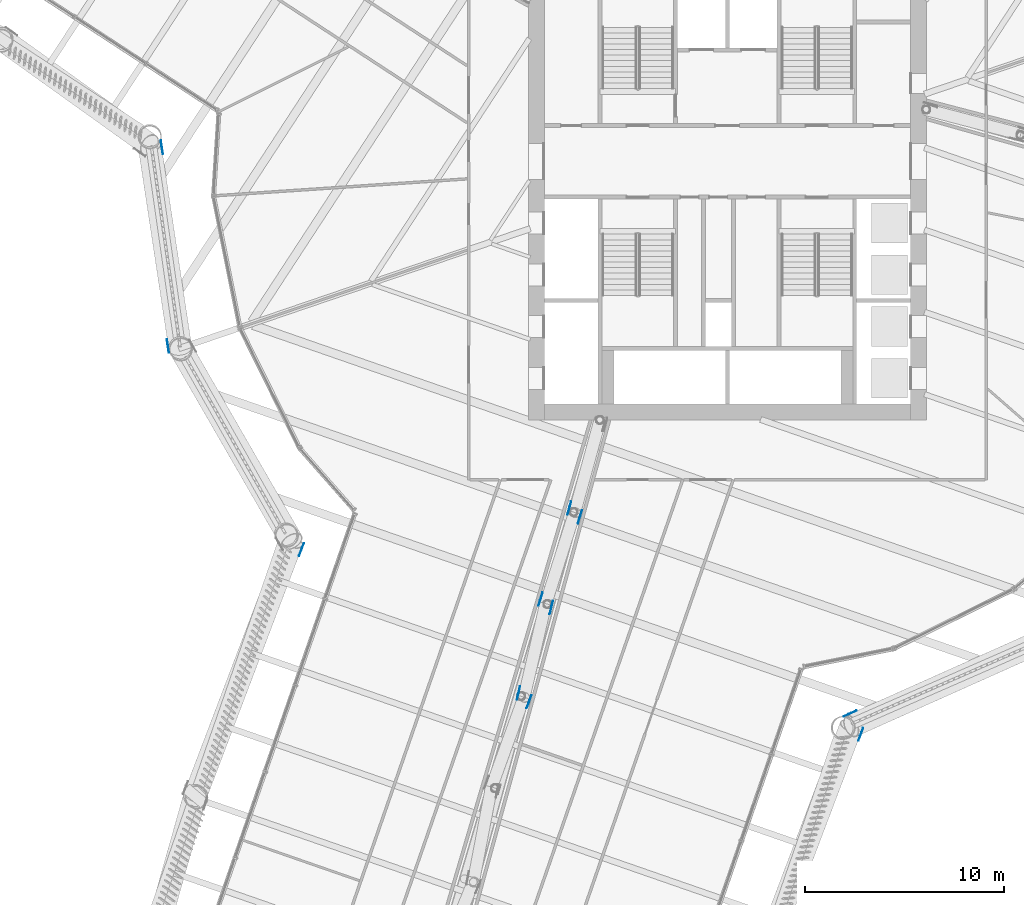
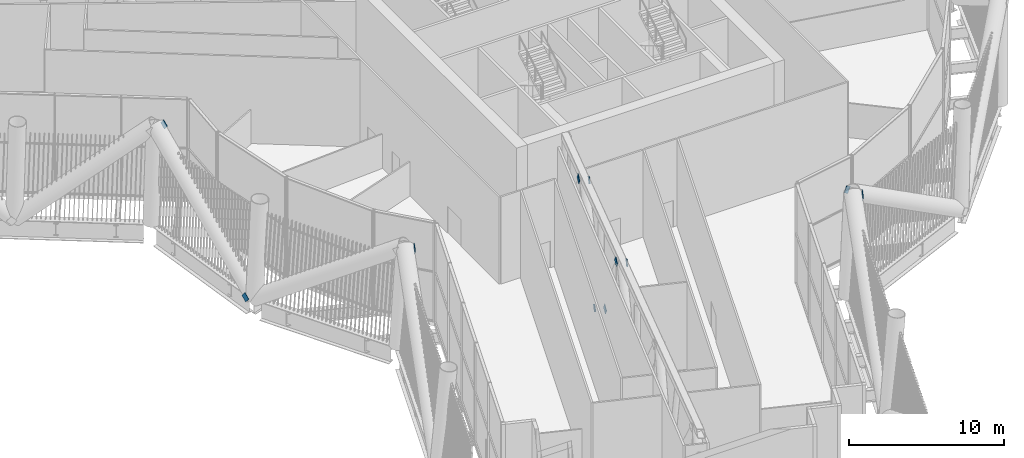
# One storey, part 45 of 63: 11 discrete accessories.
"""IFC4 building model written with IfcOpenShell, lengths in metres."""

from ifc_helpers import new_model, si_unit, direction, frame, origin, origin_2d, place, context, subcontext, project, spatial, rectangle, extrude, material, material_profile, profile_set, type_object, element, save


model = new_model("IFC4")

# Units and contexts
model_context = context("Model", 3, precision=1e-05, world=origin(), true_north=direction((0.0, 1.0)))
body_context = subcontext(model_context, "Body", "Model", "MODEL_VIEW")
ifc_project = project(units=[si_unit("LENGTHUNIT", "METRE"), si_unit("AREAUNIT", "SQUARE_METRE"), si_unit("VOLUMEUNIT", "CUBIC_METRE"), si_unit("PLANEANGLEUNIT", "RADIAN"), si_unit("MASSUNIT", "GRAM", prefix="KILO")], contexts=[model_context])

# Site, building, storey
site_placement = place(None, origin())
site = spatial("IfcSite", under=ifc_project, at=site_placement, CompositionType="ELEMENT")
building_placement = place(site_placement, origin())
building = spatial("IfcBuilding", under=site, at=building_placement, Name="Tarsis Ring Headquarters", CompositionType="ELEMENT")
storey_placement = place(building_placement, frame((0.0, 0.0, 139.60009765625)))
storey = spatial("IfcBuildingStorey", under=building, at=storey_placement, Name="L32", CompositionType="ELEMENT", Elevation=139.60009765625)

# Discrete accessories
ifc_material = material(Name="Structural steel S355", Category="steel")
ifc_material_profile = material_profile(ifc_material, rectangle(XDim=0.02490234375, YDim=0.5, at=origin_2d()), Name="PL 25x500")
ifc_profile_set = profile_set([ifc_material_profile], Name="Structural steel S355")
discrete_accessory_type_1 = type_object("IfcDiscreteAccessoryType", Name="Gusset plate Belt truss 25", PredefinedType="BRACKET", material=ifc_profile_set)
discrete_accessory_1_placement = place(storey_placement, frame((-21.328857421875, -19.3115234375, 8.0), z_axis=(-0.306580510676, -0.806970675393, -0.504783834457), x_axis=(0.934809867643, -0.355148576455, 0.0)))
element("IfcDiscreteAccessory", 1, at=discrete_accessory_1_placement, inside=storey, type_object=discrete_accessory_type_1, Name="Gusset plate GP4", PredefinedType="BRACKET", context=body_context, shape_type="SweptSolid", body=[
    extrude(rectangle(XDim=0.02490234375, YDim=0.5, at=origin_2d()), origin(), (0.0, 0.0, 1.0), 0.5),
])
discrete_accessory_2_placement = place(storey_placement, frame((6.781005859375, -28.58544921875, 8.0), z_axis=(-0.308516893387, -0.813762122271, -0.492553078207), x_axis=(0.935055238647, -0.354502046086, 0.0)))
element("IfcDiscreteAccessory", 2, at=discrete_accessory_2_placement, inside=storey, type_object=discrete_accessory_type_1, Name="Gusset plate GP4", PredefinedType="BRACKET", context=body_context, shape_type="SweptSolid", body=[
    extrude(rectangle(XDim=0.02490234375, YDim=0.5, at=origin_2d()), origin(), (0.0, 0.0, 1.0), 0.500244140625),
])
discrete_accessory_3_placement = place(storey_placement, frame((5.979248046875, -27.829345703125, 8.0), z_axis=(0.755763430957, 0.337847735286, -0.56096394197), x_axis=(-0.408107410977, 0.912933919353, 0.0)))
element("IfcDiscreteAccessory", 3, at=discrete_accessory_3_placement, inside=storey, type_object=discrete_accessory_type_1, Name="Gusset plate GP4", PredefinedType="BRACKET", context=body_context, shape_type="SweptSolid", body=[
    extrude(rectangle(XDim=0.02490234375, YDim=0.5, at=origin_2d()), origin(), (0.0, 0.0, 1.0), 0.5),
])
discrete_accessory_4_placement = place(storey_placement, frame((-28.082275390625, -9.4697265625, 0.0), z_axis=(-0.118209502781, 0.781550431607, 0.612540150772), x_axis=(-0.988754302248, -0.149549088215, 0.0)))
element("IfcDiscreteAccessory", 4, at=discrete_accessory_4_placement, inside=storey, type_object=discrete_accessory_type_1, Name="Gusset plate GP4", PredefinedType="BRACKET", context=body_context, shape_type="SweptSolid", body=[
    extrude(rectangle(XDim=0.02490234375, YDim=0.5, at=origin_2d()), origin(), (0.0, 0.0, 1.0), 0.499755859375),
])
discrete_accessory_5_placement = place(storey_placement, frame((-28.44677734375, 0.91552734375, 8.0), z_axis=(0.118174135459, -0.781316598079, -0.612845206618), x_axis=(0.988754302248, 0.149549088215, 0.0)))
element("IfcDiscreteAccessory", 5, at=discrete_accessory_5_placement, inside=storey, type_object=discrete_accessory_type_1, Name="Gusset plate GP4", PredefinedType="BRACKET", context=body_context, shape_type="SweptSolid", body=[
    extrude(rectangle(XDim=0.02490234375, YDim=0.5, at=origin_2d()), origin(), (0.0, 0.0, 1.0), 0.5),
])
discrete_accessory_type_2 = type_object("IfcDiscreteAccessoryType", Name="Gusset plate Outrigger 25", PredefinedType="BRACKET", material=ifc_profile_set)
discrete_accessory_6_placement = place(storey_placement, frame((-7.97900390625, -17.556884765625, 7.5859375), z_axis=(0.145058651796, 0.528951245436, -0.836163002943), x_axis=(-0.964392975011, 0.26447341974, 0.0)))
element("IfcDiscreteAccessory", 6, at=discrete_accessory_6_placement, inside=storey, type_object=discrete_accessory_type_2, Name="Gusset plate GP1", PredefinedType="BRACKET", context=body_context, shape_type="SweptSolid", body=[
    extrude(rectangle(XDim=0.02490234375, YDim=0.5, at=origin_2d()), origin(), (0.0, 0.0, 1.0), 0.499755859375),
])
for number, where, z_axis, x_axis, name in (
    (7, (-7.37060546875, -17.73681640625, 7.5859375), (-0.165529593289, -0.522468037815, -0.83643714839), (0.953299479753, -0.302026657604, 0.0), "Gusset plate GP1"),
    (8, (-9.428466796875, -22.125, 0.25390625), (0.165529593289, 0.522468037815, 0.83643714839), (-0.953299479753, 0.302026657604, 0.0), "Gusset plate GP1"),
    (9, (-8.817138671875, -22.292724609375, 0.25390625), (-0.124487220266, -0.535539139732, 0.835284838726), (0.974030800567, -0.226415546167, 0.0), "Gusset plate GP1"),
    (10, (-10.5283203125, -26.850830078125, 7.5859375), (0.124519764411, 0.535190830565, -0.835503203555), (-0.973985223936, 0.226611525642, 0.0), "Gusset plate GP1"),
    (11, (-9.920654296875, -27.030517578125, 7.5859375), (-0.186498427789, -0.515555863206, -0.836313630372), (0.940364104707, -0.340169590907, 0.0), "Gusset plate GP1"),
):
    element("IfcDiscreteAccessory", number, at=place(storey_placement, frame(where, z_axis=z_axis, x_axis=x_axis)), inside=storey, type_object=discrete_accessory_type_2, Name=name, PredefinedType="BRACKET", context=body_context, shape_type="SweptSolid", body=[
        extrude(rectangle(XDim=0.02490234375, YDim=0.5, at=origin_2d()), origin(), (0.0, 0.0, 1.0), 0.5),
    ])

save(model, "model.ifc")
